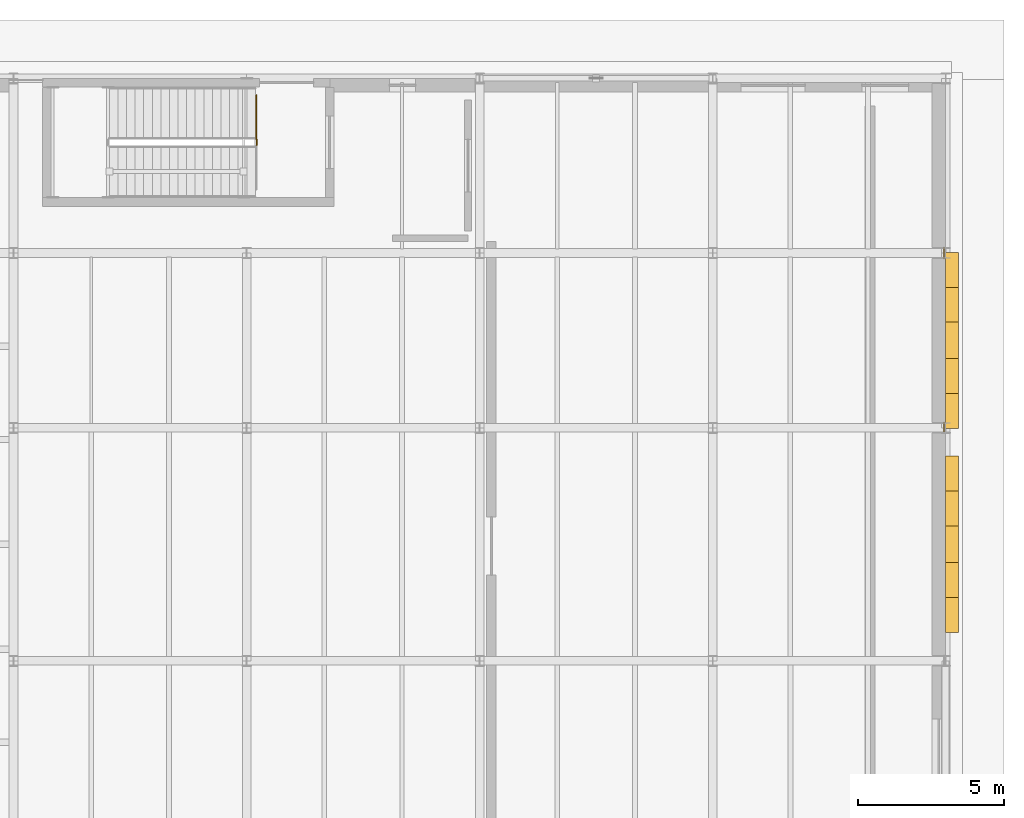
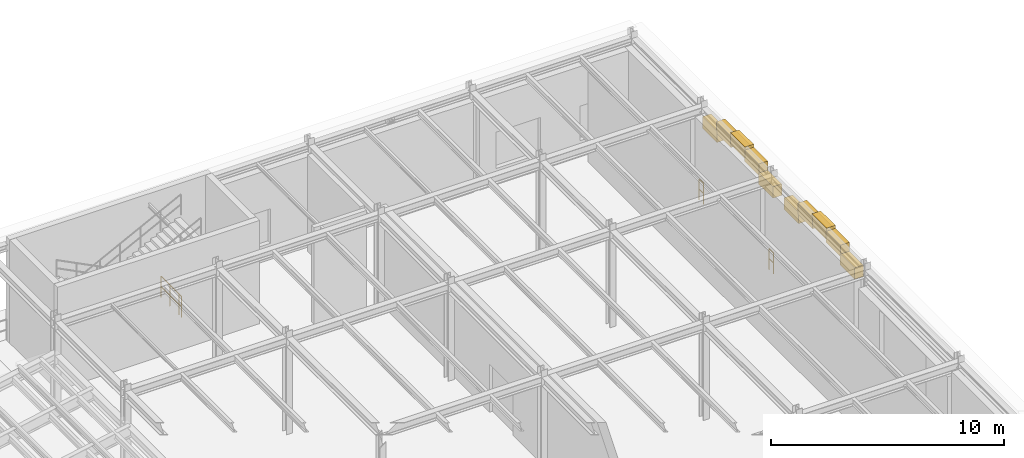
# One storey, part 129 of 129: 10 coverings, 4 railings.
"""IFC4 building model written with IfcOpenShell, lengths in metres."""

from ifc_helpers import new_model, si_unit, direction, frame, origin, origin_2d, place, context, subcontext, project, spatial, rectangle, circle, extrude, material, layer, layer_set, type_object, element, save


model = new_model("IFC4")

# Units and contexts
model_context = context("Model", 3, precision=1e-05, world=origin(), true_north=direction((0.0, 1.0)))
body_context = subcontext(model_context, "Body", "Model", "MODEL_VIEW")
ifc_project = project(units=[si_unit("LENGTHUNIT", "METRE"), si_unit("AREAUNIT", "SQUARE_METRE"), si_unit("VOLUMEUNIT", "CUBIC_METRE"), si_unit("PLANEANGLEUNIT", "RADIAN"), si_unit("MASSUNIT", "GRAM", prefix="KILO")], contexts=[model_context])

# Site, building, storey
site_placement = place(None, origin())
site = spatial("IfcSite", under=ifc_project, at=site_placement, CompositionType="ELEMENT")
building_placement = place(site_placement, origin())
building = spatial("IfcBuilding", under=site, at=building_placement, Name="Sundkrona Museum", CompositionType="ELEMENT")
storey_placement = place(building_placement, origin())
storey = spatial("IfcBuildingStorey", under=building, at=storey_placement, Name="L00", CompositionType="ELEMENT", Elevation=0.0)

# Coverings
ifc_material_1 = material(Name="Frost-Resistant Vitrified Stoneware Mosaic Cladding", Category="masonry")
ifc_layer = layer(ifc_material_1, 0.044921875)
ifc_layer_set = layer_set([ifc_layer], Name="Frost-Resistant Vitrified Stoneware Mosaic Cladding")
covering_type = type_object("IfcCoveringType", Name="COV-CLD-MOS", PredefinedType="CLADDING", material=ifc_layer_set)
for number, where, z_axis, x_axis, name in (
    (1, (168.219970703125, 95.60009765625, 3.8310546875), (0.0, 0.0, 1.0), (1.0, 0.0, 0.0), "Catalan Modernisme East Avenue Arch Voussoir 141"),
    (2, (168.219970703125, 96.800048828125, 4.295166015625), (0.0, 0.0, 1.0), (1.0, 0.0, 0.0), "Catalan Modernisme East Avenue Arch Voussoir 142"),
    (3, (168.219970703125, 98.0, 4.449951171875), (0.0, 0.0, 1.0), (1.0, 0.0, 0.0), "Catalan Modernisme East Avenue Arch Voussoir 143"),
    (4, (168.219970703125, 99.199951171875, 4.295166015625), (0.0, 0.0, 1.0), (1.0, 0.0, 0.0), "Catalan Modernisme East Avenue Arch Voussoir 144"),
    (5, (168.219970703125, 100.39990234375, 3.8310546875), (0.0, 0.0, 1.0), (1.0, 0.0, 0.0), "Catalan Modernisme East Avenue Arch Voussoir 145"),
    (6, (168.219970703125, 102.60009765625, 3.8310546875), (0.0, 0.0, 1.0), (1.0, 0.0, 0.0), "Catalan Modernisme East Avenue Arch Voussoir 146"),
    (7, (168.219970703125, 103.800048828125, 4.295166015625), (0.0, 0.0, 1.0), (1.0, 0.0, 0.0), "Catalan Modernisme East Avenue Arch Voussoir 147"),
    (8, (168.219970703125, 105.0, 4.449951171875), (0.0, 0.0, 1.0), (1.0, 0.0, 0.0), "Catalan Modernisme East Avenue Arch Voussoir 148"),
    (9, (168.219970703125, 106.199951171875, 4.295166015625), (0.0, 0.0, 1.0), (1.0, 0.0, 0.0), "Catalan Modernisme East Avenue Arch Voussoir 149"),
    (10, (168.219970703125, 107.39990234375, 3.8310546875), (0.0, 0.0, 1.0), (1.0, 0.0, 0.0), "Catalan Modernisme East Avenue Arch Voussoir 150"),
):
    element("IfcCovering", number, at=place(storey_placement, frame(where, z_axis=z_axis, x_axis=x_axis)), inside=storey, type_object=covering_type, Name=name, PredefinedType="CLADDING", context=body_context, shape_type="SweptSolid", body=[
        extrude(rectangle(XDim=0.43994140625, YDim=1.25, at=origin_2d()), origin(), (0.0, 0.0, 1.0), 0.60009765625),
    ])

# Railings
ifc_material_2 = material(Name="Painted Steel S355J2 and Laminated Glass Balustrade", Category="steel")
railing_type = type_object("IfcRailingType", Name="RL-GUARD-1100", PredefinedType="BALUSTRADE", material=ifc_material_2)
railing_1_placement = place(storey_placement, frame((144.35009765625, 111.89990234375, 0.0)))
element("IfcRailing", 11, at=railing_1_placement, inside=storey, type_object=railing_type, Name="L00 ST-5 stair guard 4", PredefinedType="BALUSTRADE", context=body_context, shape_type="SweptSolid", body=[
    extrude(circle(Radius=0.02392578125, at=origin_2d()), frame((0.0, 0.0, 1.076171875), z_axis=(0.0, -1.0, 0.0), x_axis=(1.0, 0.0, 0.0)), (0.0, 0.0, 1.0), 0.199951171875),
    extrude(circle(Radius=0.02392578125, at=origin_2d()), frame((0.0, 0.0, 0.550048828125), z_axis=(0.0, -1.0, 0.0), x_axis=(1.0, 0.0, 0.0)), (0.0, 0.0, 1.0), 0.199951171875),
    extrude(circle(Radius=0.02099609375, at=origin_2d()), origin(), (0.0, 0.0, 1.0), 1.052001953125),
    extrude(circle(Radius=0.02099609375, at=origin_2d()), frame((0.0, -0.199951171875, 0.0)), (0.0, 0.0, 1.0), 1.052001953125),
])
railing_2_placement = place(storey_placement, frame((144.3349609375, 111.89990234375, 0.0)))
element("IfcRailing", 12, at=railing_2_placement, inside=storey, type_object=railing_type, Name="L00 Edge Protection Balustrade 038", PredefinedType="BALUSTRADE", context=body_context, shape_type="SweptSolid", body=[
    extrude(circle(Radius=0.02392578125, at=origin_2d()), frame((0.0, 0.0, 1.09619140625), z_axis=(0.0, 1.0, 0.0), x_axis=(-1.0, 0.0, 0.0)), (0.0, 0.0, 1.0), 1.52001953125),
    extrude(circle(Radius=0.02392578125, at=origin_2d()), frame((0.0, 0.0, 0.56005859375), z_axis=(0.0, 1.0, 0.0), x_axis=(-1.0, 0.0, 0.0)), (0.0, 0.0, 1.0), 1.52001953125),
    extrude(circle(Radius=0.02099609375, at=origin_2d()), origin(), (0.0, 0.0, 1.0), 1.072021484375),
    extrude(circle(Radius=0.02099609375, at=origin_2d()), frame((0.0, 0.760009765625, 0.0)), (0.0, 0.0, 1.0), 1.072021484375),
    extrude(circle(Radius=0.02099609375, at=origin_2d()), frame((0.0, 1.52001953125, 0.0)), (0.0, 0.0, 1.0), 1.072021484375),
])
for number, where, name in (
    (13, (167.93994140625, 102.181884765625, 0.0), "L00 Edge Protection Balustrade 055"),
    (14, (167.93994140625, 108.181884765625, 0.0), "L00 Edge Protection Balustrade 056"),
):
    element("IfcRailing", number, at=place(storey_placement, frame(where)), inside=storey, type_object=railing_type, Name=name, PredefinedType="BALUSTRADE", context=body_context, shape_type="SweptSolid", body=[
        extrude(circle(Radius=0.02392578125, at=origin_2d()), frame((0.0, 0.0, 1.09619140625), z_axis=(0.0, -1.0, 0.0), x_axis=(1.0, 0.0, 0.0)), (0.0, 0.0, 1.0), 0.36376953125),
        extrude(circle(Radius=0.02392578125, at=origin_2d()), frame((0.0, 0.0, 0.56005859375), z_axis=(0.0, -1.0, 0.0), x_axis=(1.0, 0.0, 0.0)), (0.0, 0.0, 1.0), 0.36376953125),
        extrude(circle(Radius=0.02099609375, at=origin_2d()), origin(), (0.0, 0.0, 1.0), 1.072021484375),
        extrude(circle(Radius=0.02099609375, at=origin_2d()), frame((0.0, -0.36376953125, 0.0)), (0.0, 0.0, 1.0), 1.072021484375),
    ])

save(model, "model.ifc")
